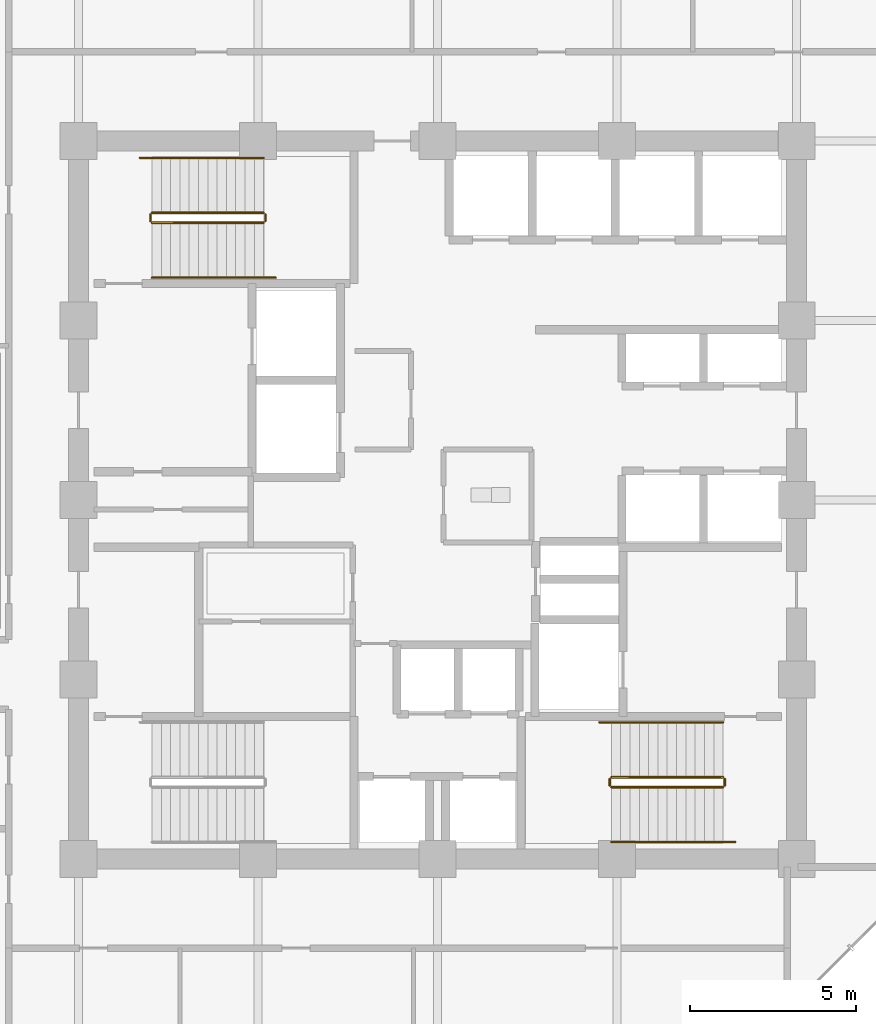
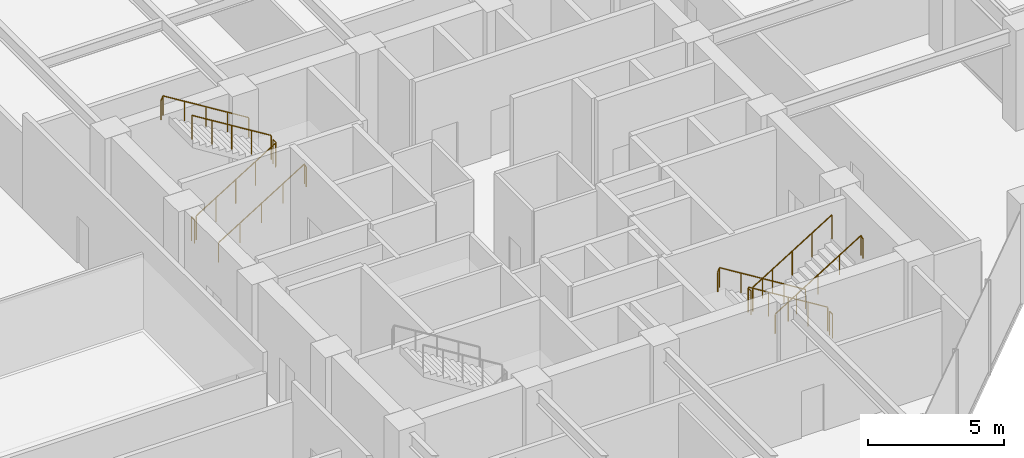
# One storey, part 24 of 25: 12 railings.
"""IFC4 building model written with IfcOpenShell, lengths in metres."""

from ifc_helpers import new_model, si_unit, direction, frame, origin, origin_2d, place, context, subcontext, project, spatial, circle, extrude, material, type_object, element, save


model = new_model("IFC4")

# Units and contexts
model_context = context("Model", 3, precision=1e-05, world=origin(), true_north=direction((0.0, 1.0)))
body_context = subcontext(model_context, "Body", "Model", "MODEL_VIEW")
ifc_project = project(units=[si_unit("LENGTHUNIT", "METRE"), si_unit("AREAUNIT", "SQUARE_METRE"), si_unit("VOLUMEUNIT", "CUBIC_METRE"), si_unit("PLANEANGLEUNIT", "RADIAN"), si_unit("MASSUNIT", "GRAM", prefix="KILO")], contexts=[model_context])

# Site, building, storey
site_placement = place(None, origin())
site = spatial("IfcSite", under=ifc_project, at=site_placement, CompositionType="ELEMENT")
building_placement = place(site_placement, origin())
building = spatial("IfcBuilding", under=site, at=building_placement, Name="Surkhivell Harbour Commons", CompositionType="ELEMENT")
storey_placement = place(building_placement, frame((0.0, 0.0, 162.0)))
storey = spatial("IfcBuildingStorey", under=building, at=storey_placement, Name="L42", CompositionType="ELEMENT", Elevation=162.0)

# Railings
ifc_material_1 = material(Name="Galvanised and painted steel S355 guard rail", Category="steel")
railing_type_1 = type_object("IfcRailingType", Name="RAL-ST-GRD1100", PredefinedType="GUARDRAIL", material=ifc_material_1)
railing_1_placement = place(storey_placement, frame((-8.590087890625, 8.340087890625, 0.173095703125)))
element("IfcRailing", 1, at=railing_1_placement, inside=storey, type_object=railing_type_1, Name="L42 ST1 stair guard 1", PredefinedType="GUARDRAIL", context=body_context, shape_type="SweptSolid", body=[
    extrude(circle(Radius=0.02392578125, at=origin_2d()), frame((0.0, 0.0, 1.076171875), z_axis=(0.850623216509, 0.0, 0.525775754039), x_axis=(0.0, 1.0, 0.0)), (0.0, 0.0, 1.0), 3.9501953125),
    extrude(circle(Radius=0.02099609375, at=origin_2d()), origin(), (0.0, 0.0, 1.0), 1.052001953125),
    extrude(circle(Radius=0.02099609375, at=origin_2d()), frame((0.840087890625, 0.0, 0.519287109375)), (0.0, 0.0, 1.0), 1.052001953125),
    extrude(circle(Radius=0.02099609375, at=origin_2d()), frame((1.68017578125, 0.0, 1.03857421875)), (0.0, 0.0, 1.0), 1.052001953125),
    extrude(circle(Radius=0.02099609375, at=origin_2d()), frame((2.52001953125, 0.0, 1.5576171875)), (0.0, 0.0, 1.0), 1.052001953125),
    extrude(circle(Radius=0.02099609375, at=origin_2d()), frame((3.360107421875, 0.0, 2.076904296875)), (0.0, 0.0, 1.0), 1.052001953125),
])
railing_2_placement = place(storey_placement, frame((-5.179931640625, 8.389892578125, 2.25)))
element("IfcRailing", 2, at=railing_2_placement, inside=storey, type_object=railing_type_1, Name="L42 ST1 stair guard 2", PredefinedType="GUARDRAIL", context=body_context, shape_type="SweptSolid", body=[
    extrude(circle(Radius=0.02392578125, at=origin_2d()), frame((0.0, 0.0, 1.076171875), z_axis=(0.0, 1.0, 0.0), x_axis=(-1.0, 0.0, 0.0)), (0.0, 0.0, 1.0), 0.2001953125),
    extrude(circle(Radius=0.02099609375, at=origin_2d()), origin(), (0.0, 0.0, 1.0), 1.052001953125),
    extrude(circle(Radius=0.02099609375, at=origin_2d()), frame((0.0, 0.2001953125, 0.0)), (0.0, 0.0, 1.0), 1.052001953125),
])
railing_3_placement = place(storey_placement, frame((-5.22998046875, 8.639892578125, 2.423095703125)))
element("IfcRailing", 3, at=railing_3_placement, inside=storey, type_object=railing_type_1, Name="L42 ST1 stair guard 3", PredefinedType="GUARDRAIL", context=body_context, shape_type="SweptSolid", body=[
    extrude(circle(Radius=0.02392578125, at=origin_2d()), frame((0.0, 0.0, 1.076171875), z_axis=(-0.850623216509, 0.0, 0.525775754039), x_axis=(0.0, -1.0, 0.0)), (0.0, 0.0, 1.0), 3.9501953125),
    extrude(circle(Radius=0.02099609375, at=origin_2d()), origin(), (0.0, 0.0, 1.0), 1.052001953125),
    extrude(circle(Radius=0.02099609375, at=origin_2d()), frame((-0.840087890625, 0.0, 0.519287109375)), (0.0, 0.0, 1.0), 1.052001953125),
    extrude(circle(Radius=0.02099609375, at=origin_2d()), frame((-1.68017578125, 0.0, 1.03857421875)), (0.0, 0.0, 1.0), 1.052001953125),
    extrude(circle(Radius=0.02099609375, at=origin_2d()), frame((-2.52001953125, 0.0, 1.5576171875)), (0.0, 0.0, 1.0), 1.052001953125),
    extrude(circle(Radius=0.02099609375, at=origin_2d()), frame((-3.360107421875, 0.0, 2.076904296875)), (0.0, 0.0, 1.0), 1.052001953125),
])
railing_4_placement = place(storey_placement, frame((-8.639892578125, 8.389892578125, 0.0)))
element("IfcRailing", 4, at=railing_4_placement, inside=storey, type_object=railing_type_1, Name="L42 ST1 stair guard 4", PredefinedType="GUARDRAIL", context=body_context, shape_type="SweptSolid", body=[
    extrude(circle(Radius=0.02392578125, at=origin_2d()), frame((0.0, 0.0, 1.076171875), z_axis=(0.0, 1.0, 0.0), x_axis=(-1.0, 0.0, 0.0)), (0.0, 0.0, 1.0), 0.2001953125),
    extrude(circle(Radius=0.02099609375, at=origin_2d()), origin(), (0.0, 0.0, 1.0), 1.052001953125),
    extrude(circle(Radius=0.02099609375, at=origin_2d()), frame((0.0, 0.2001953125, 0.0)), (0.0, 0.0, 1.0), 1.052001953125),
])
railing_5_placement = place(storey_placement, frame((8.590087890625, -8.340087890625, 0.173095703125)))
element("IfcRailing", 5, at=railing_5_placement, inside=storey, type_object=railing_type_1, Name="L42 ST2 stair guard 1", PredefinedType="GUARDRAIL", context=body_context, shape_type="SweptSolid", body=[
    extrude(circle(Radius=0.02392578125, at=origin_2d()), frame((0.0, 0.0, 1.076171875), z_axis=(-0.850623216509, 0.0, 0.525775754039), x_axis=(0.0, -1.0, 0.0)), (0.0, 0.0, 1.0), 3.9501953125),
    extrude(circle(Radius=0.02099609375, at=origin_2d()), origin(), (0.0, 0.0, 1.0), 1.052001953125),
    extrude(circle(Radius=0.02099609375, at=origin_2d()), frame((-0.840087890625, 0.0, 0.519287109375)), (0.0, 0.0, 1.0), 1.052001953125),
    extrude(circle(Radius=0.02099609375, at=origin_2d()), frame((-1.68017578125, 0.0, 1.03857421875)), (0.0, 0.0, 1.0), 1.052001953125),
    extrude(circle(Radius=0.02099609375, at=origin_2d()), frame((-2.52001953125, 0.0, 1.5576171875)), (0.0, 0.0, 1.0), 1.052001953125),
    extrude(circle(Radius=0.02099609375, at=origin_2d()), frame((-3.360107421875, 0.0, 2.076904296875)), (0.0, 0.0, 1.0), 1.052001953125),
])
railing_6_placement = place(storey_placement, frame((5.179931640625, -8.389892578125, 2.25)))
element("IfcRailing", 6, at=railing_6_placement, inside=storey, type_object=railing_type_1, Name="L42 ST2 stair guard 2", PredefinedType="GUARDRAIL", context=body_context, shape_type="SweptSolid", body=[
    extrude(circle(Radius=0.02392578125, at=origin_2d()), frame((0.0, 0.0, 1.076171875), z_axis=(0.0, -1.0, 0.0), x_axis=(1.0, 0.0, 0.0)), (0.0, 0.0, 1.0), 0.2001953125),
    extrude(circle(Radius=0.02099609375, at=origin_2d()), origin(), (0.0, 0.0, 1.0), 1.052001953125),
    extrude(circle(Radius=0.02099609375, at=origin_2d()), frame((0.0, -0.2001953125, 0.0)), (0.0, 0.0, 1.0), 1.052001953125),
])
railing_7_placement = place(storey_placement, frame((5.22998046875, -8.639892578125, 2.423095703125)))
element("IfcRailing", 7, at=railing_7_placement, inside=storey, type_object=railing_type_1, Name="L42 ST2 stair guard 3", PredefinedType="GUARDRAIL", context=body_context, shape_type="SweptSolid", body=[
    extrude(circle(Radius=0.02392578125, at=origin_2d()), frame((0.0, 0.0, 1.076171875), z_axis=(0.850623216509, 0.0, 0.525775754039), x_axis=(0.0, 1.0, 0.0)), (0.0, 0.0, 1.0), 3.9501953125),
    extrude(circle(Radius=0.02099609375, at=origin_2d()), origin(), (0.0, 0.0, 1.0), 1.052001953125),
    extrude(circle(Radius=0.02099609375, at=origin_2d()), frame((0.840087890625, 0.0, 0.519287109375)), (0.0, 0.0, 1.0), 1.052001953125),
    extrude(circle(Radius=0.02099609375, at=origin_2d()), frame((1.68017578125, 0.0, 1.03857421875)), (0.0, 0.0, 1.0), 1.052001953125),
    extrude(circle(Radius=0.02099609375, at=origin_2d()), frame((2.52001953125, 0.0, 1.5576171875)), (0.0, 0.0, 1.0), 1.052001953125),
    extrude(circle(Radius=0.02099609375, at=origin_2d()), frame((3.360107421875, 0.0, 2.076904296875)), (0.0, 0.0, 1.0), 1.052001953125),
])
railing_8_placement = place(storey_placement, frame((8.639892578125, -8.389892578125, 0.0)))
element("IfcRailing", 8, at=railing_8_placement, inside=storey, type_object=railing_type_1, Name="L42 ST2 stair guard 4", PredefinedType="GUARDRAIL", context=body_context, shape_type="SweptSolid", body=[
    extrude(circle(Radius=0.02392578125, at=origin_2d()), frame((0.0, 0.0, 1.076171875), z_axis=(0.0, -1.0, 0.0), x_axis=(1.0, 0.0, 0.0)), (0.0, 0.0, 1.0), 0.2001953125),
    extrude(circle(Radius=0.02099609375, at=origin_2d()), origin(), (0.0, 0.0, 1.0), 1.052001953125),
    extrude(circle(Radius=0.02099609375, at=origin_2d()), frame((0.0, -0.2001953125, 0.0)), (0.0, 0.0, 1.0), 1.052001953125),
])
ifc_material_2 = material(Name="Brushed stainless steel S355 handrail", Category="steel")
railing_type_2 = type_object("IfcRailingType", Name="RAL-ST-HND900", PredefinedType="HANDRAIL", material=ifc_material_2)
railing_9_placement = place(storey_placement, frame((-8.590087890625, 6.68994140625, 0.173095703125)))
element("IfcRailing", 9, at=railing_9_placement, inside=storey, type_object=railing_type_2, Name="L42 ST1 stair handrail 1", PredefinedType="HANDRAIL", context=body_context, shape_type="SweptSolid", body=[
    extrude(circle(Radius=0.02392578125, at=origin_2d()), frame((0.0, 0.0, 0.8759765625), z_axis=(0.850622404505, 0.0, 0.525777067734), x_axis=(0.0, 1.0, 0.0)), (0.0, 0.0, 1.0), 4.279296875),
    extrude(circle(Radius=0.02392578125, at=origin_2d()), frame((3.64013671875, 0.0, 3.1259765625), z_axis=(0.418814502111, 0.0, -0.908071810388), x_axis=(0.0, 1.0, 0.0)), (0.0, 0.0, 1.0), 0.190673828125),
    extrude(circle(Radius=0.02099609375, at=origin_2d()), origin(), (0.0, 0.0, 1.0), 0.851806640625),
    extrude(circle(Radius=0.02099609375, at=origin_2d()), frame((0.91015625, 0.0, 0.5625)), (0.0, 0.0, 1.0), 0.851806640625),
    extrude(circle(Radius=0.02099609375, at=origin_2d()), frame((1.820068359375, 0.0, 1.125)), (0.0, 0.0, 1.0), 0.851806640625),
    extrude(circle(Radius=0.02099609375, at=origin_2d()), frame((2.72998046875, 0.0, 1.6875)), (0.0, 0.0, 1.0), 0.851806640625),
    extrude(circle(Radius=0.02099609375, at=origin_2d()), frame((3.64013671875, 0.0, 2.25)), (0.0, 0.0, 1.0), 0.851806640625),
    extrude(circle(Radius=0.02099609375, at=origin_2d()), frame((3.719970703125, 0.0, 2.076904296875)), (0.0, 0.0, 1.0), 0.851806640625),
])
for number, where, name in (
    (10, (-5.22998046875, 10.2900390625, 2.423095703125), "L42 ST1 stair handrail 2"),
    (11, (8.590087890625, -6.68994140625, 0.173095703125), "L42 ST2 stair handrail 1"),
):
    element("IfcRailing", number, at=place(storey_placement, frame(where)), inside=storey, type_object=railing_type_2, Name=name, PredefinedType="HANDRAIL", context=body_context, shape_type="SweptSolid", body=[
        extrude(circle(Radius=0.02392578125, at=origin_2d()), frame((0.0, 0.0, 0.8759765625), z_axis=(-0.850622404505, 0.0, 0.525777067734), x_axis=(0.0, -1.0, 0.0)), (0.0, 0.0, 1.0), 4.279296875),
        extrude(circle(Radius=0.02392578125, at=origin_2d()), frame((-3.64013671875, 0.0, 3.1259765625), z_axis=(-0.418814502111, 0.0, -0.908071810388), x_axis=(0.0, -1.0, 0.0)), (0.0, 0.0, 1.0), 0.190673828125),
        extrude(circle(Radius=0.02099609375, at=origin_2d()), origin(), (0.0, 0.0, 1.0), 0.851806640625),
        extrude(circle(Radius=0.02099609375, at=origin_2d()), frame((-0.91015625, 0.0, 0.5625)), (0.0, 0.0, 1.0), 0.851806640625),
        extrude(circle(Radius=0.02099609375, at=origin_2d()), frame((-1.820068359375, 0.0, 1.125)), (0.0, 0.0, 1.0), 0.851806640625),
        extrude(circle(Radius=0.02099609375, at=origin_2d()), frame((-2.72998046875, 0.0, 1.6875)), (0.0, 0.0, 1.0), 0.851806640625),
        extrude(circle(Radius=0.02099609375, at=origin_2d()), frame((-3.64013671875, 0.0, 2.25)), (0.0, 0.0, 1.0), 0.851806640625),
        extrude(circle(Radius=0.02099609375, at=origin_2d()), frame((-3.719970703125, 0.0, 2.076904296875)), (0.0, 0.0, 1.0), 0.851806640625),
    ])
railing_10_placement = place(storey_placement, frame((5.22998046875, -10.2900390625, 2.423095703125)))
element("IfcRailing", 12, at=railing_10_placement, inside=storey, type_object=railing_type_2, Name="L42 ST2 stair handrail 2", PredefinedType="HANDRAIL", context=body_context, shape_type="SweptSolid", body=[
    extrude(circle(Radius=0.02392578125, at=origin_2d()), frame((0.0, 0.0, 0.8759765625), z_axis=(0.850622404505, 0.0, 0.525777067734), x_axis=(0.0, 1.0, 0.0)), (0.0, 0.0, 1.0), 4.279296875),
    extrude(circle(Radius=0.02392578125, at=origin_2d()), frame((3.64013671875, 0.0, 3.1259765625), z_axis=(0.418814502111, 0.0, -0.908071810388), x_axis=(0.0, 1.0, 0.0)), (0.0, 0.0, 1.0), 0.190673828125),
    extrude(circle(Radius=0.02099609375, at=origin_2d()), origin(), (0.0, 0.0, 1.0), 0.851806640625),
    extrude(circle(Radius=0.02099609375, at=origin_2d()), frame((0.91015625, 0.0, 0.5625)), (0.0, 0.0, 1.0), 0.851806640625),
    extrude(circle(Radius=0.02099609375, at=origin_2d()), frame((1.820068359375, 0.0, 1.125)), (0.0, 0.0, 1.0), 0.851806640625),
    extrude(circle(Radius=0.02099609375, at=origin_2d()), frame((2.72998046875, 0.0, 1.6875)), (0.0, 0.0, 1.0), 0.851806640625),
    extrude(circle(Radius=0.02099609375, at=origin_2d()), frame((3.64013671875, 0.0, 2.25)), (0.0, 0.0, 1.0), 0.851806640625),
    extrude(circle(Radius=0.02099609375, at=origin_2d()), frame((3.719970703125, 0.0, 2.076904296875)), (0.0, 0.0, 1.0), 0.851806640625),
])

save(model, "model.ifc")
